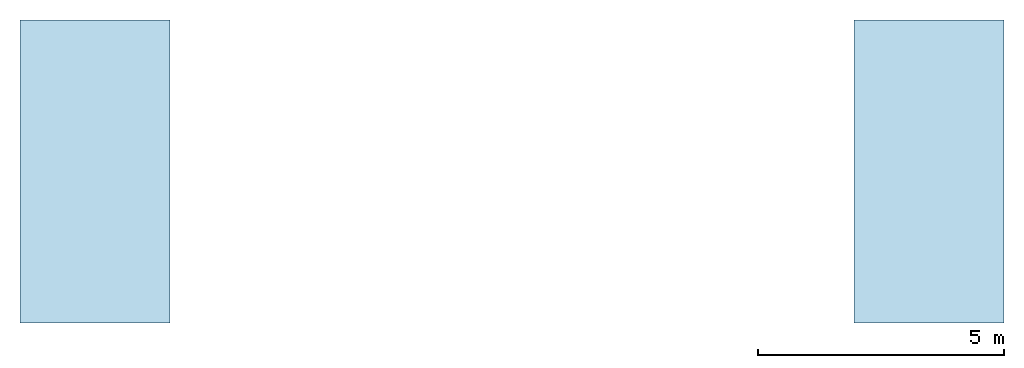
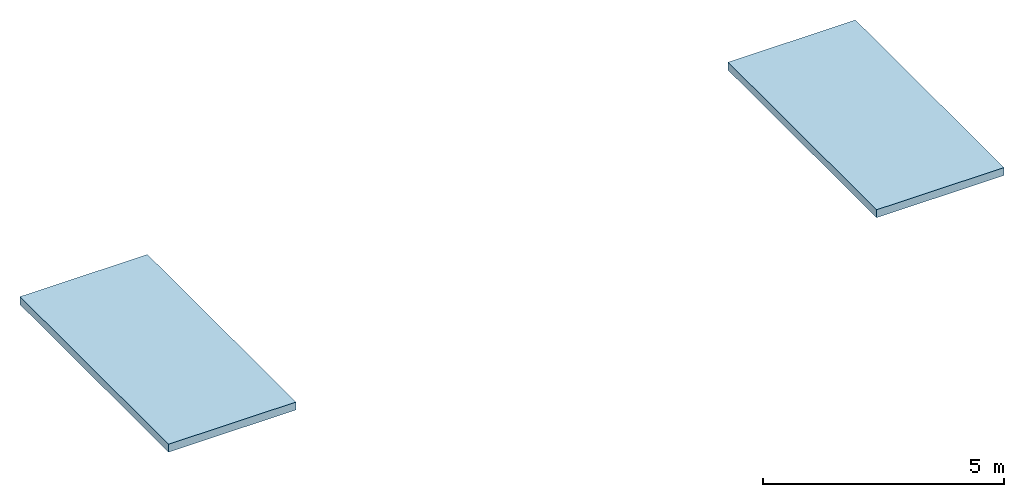
# One storey: 2 slabs.
"""IFC4 building model written with IfcOpenShell, lengths in metres."""

from ifc_helpers import new_model, si_unit, direction, frame, origin, place, context, subcontext, project, spatial, polyline, outline, extrude, material, layer, layer_set, type_object, element, save


model = new_model("IFC4")

# Units and contexts
model_context = context("Model", 3, precision=1e-05, world=origin(), true_north=direction((0.0, 1.0)))
body_context = subcontext(model_context, "Body", "Model", "MODEL_VIEW")
ifc_project = project(units=[si_unit("LENGTHUNIT", "METRE"), si_unit("AREAUNIT", "SQUARE_METRE"), si_unit("VOLUMEUNIT", "CUBIC_METRE"), si_unit("PLANEANGLEUNIT", "RADIAN"), si_unit("MASSUNIT", "GRAM", prefix="KILO")], contexts=[model_context])

# Site, building, storey
site_placement = place(None, origin())
site = spatial("IfcSite", under=ifc_project, at=site_placement, CompositionType="ELEMENT")
building_placement = place(site_placement, origin())
building = spatial("IfcBuilding", under=site, at=building_placement, Name="Torana Hotel and Residences", CompositionType="ELEMENT")
storey_placement = place(building_placement, frame((0.0, 0.0, 378.300048828125)))
storey = spatial("IfcBuildingStorey", under=building, at=storey_placement, Name="ROOF-HEAD", CompositionType="ELEMENT", Elevation=378.300048828125)

# Slabs
ifc_material = material(Name="Steel S355", Category="steel")
ifc_layer = layer(ifc_material, 0.199951171875)
ifc_layer_set = layer_set([ifc_layer], Name="TR2 ENCLOSURE ROOF 200")
slab_type = type_object("IfcSlabType", Name="TR2 ENCLOSURE ROOF 200", PredefinedType="ROOF", material=ifc_layer_set)
slab_1_placement = place(storey_placement, origin())
element("IfcSlab", 1, at=slab_1_placement, inside=storey, type_object=slab_type, Name="Stair ST6 head roof", PredefinedType="ROOF", context=body_context, shape_type="SweptSolid", body=[
    extrude(outline(polyline([(-10.0, -8.5), (-6.949951171875, -8.5), (-6.949951171875, -2.340087890625), (-10.0, -2.340087890625), (-10.0, -8.5)])), origin(), (0.0, 0.0, 1.0), 0.199951171875),
])
slab_2_placement = place(storey_placement, origin())
element("IfcSlab", 2, at=slab_2_placement, inside=storey, type_object=slab_type, Name="Stair ST7 head roof", PredefinedType="ROOF", context=body_context, shape_type="SweptSolid", body=[
    extrude(outline(polyline([(6.949951171875, -8.5), (10.0, -8.5), (10.0, -2.340087890625), (6.949951171875, -2.340087890625), (6.949951171875, -8.5)])), origin(), (0.0, 0.0, 1.0), 0.199951171875),
])

save(model, "model.ifc")
